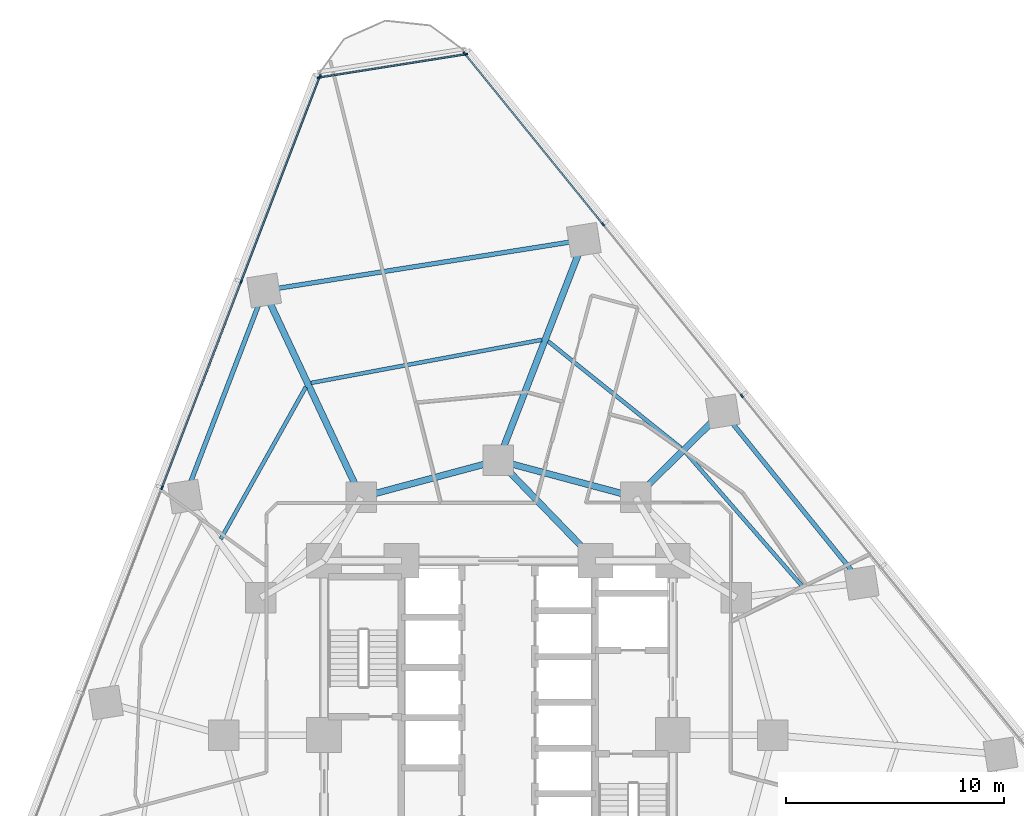
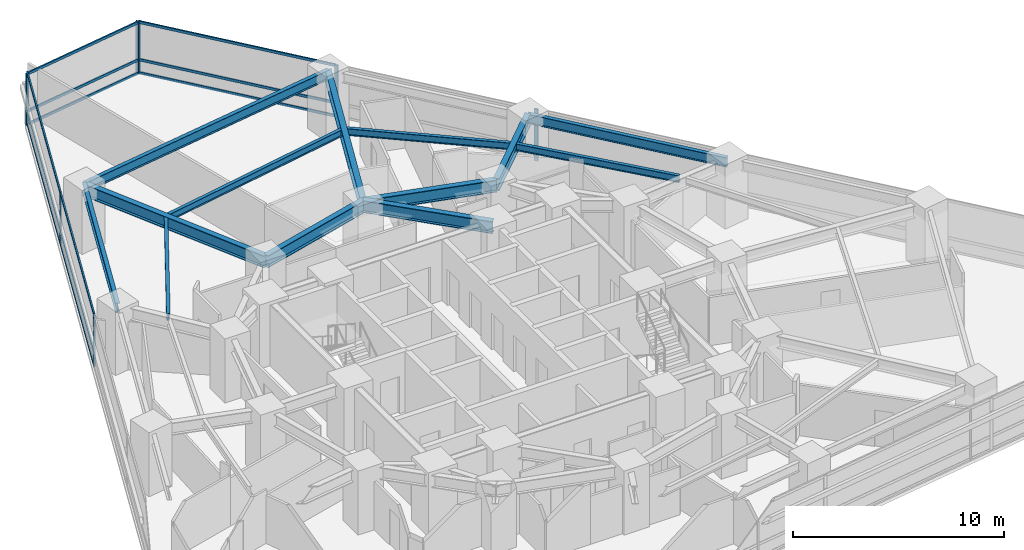
# One storey, part 5 of 14: 20 members, 13 beams, 3 elements without a shape of their own.
"""IFC4 building model written with IfcOpenShell, lengths in metres."""

import ifcopenshell
import ifcopenshell.guid

model = None  # the IFC model being written
_history = None  # IfcOwnerHistory: only IFC2X3 demands one
_inside = {}  # id of a spatial element -> (the spatial element, [elements in it])
_under = {}  # id of a project, library or spatial element -> (it, [spatial elements below it])
_declared = {}  # id of a project -> (the project, [libraries it declares])
_typed = {}  # id of a type object -> (the type object, [elements of that type])
_made_of = {}  # id of a material, layer set ... -> (it, [elements and type objects made of it])


def new_model(schema):
    """Start an empty IFC model of exactly this schema.

    Asked for "IFC4X3", IfcOpenShell would pick the latest addendum, in which some entities
    have other attributes; the version numbers below select the first issue.
    IFC2X3 requires an IfcOwnerHistory on every rooted entity: one is made here for all.
    """
    global model, _history
    if schema == "IFC4X3":
        model = ifcopenshell.file(schema_version=(4, 3, 0, 0))
    else:
        model = ifcopenshell.file(schema=schema)
    _inside.clear()
    _under.clear()
    _declared.clear()
    _typed.clear()
    _made_of.clear()
    _history = None
    if model.schema == "IFC2X3":
        org = make("IfcOrganization", Name="unknown")
        user = make(
            "IfcPersonAndOrganization",
            ThePerson=make("IfcPerson", FamilyName="unknown"),
            TheOrganization=org,
        )
        app = make(
            "IfcApplication",
            ApplicationDeveloper=org,
            Version="unknown",
            ApplicationFullName="unknown",
            ApplicationIdentifier="unknown",
        )
        _history = make(
            "IfcOwnerHistory",
            OwningUser=user,
            OwningApplication=app,
            ChangeAction="ADDED",
            CreationDate=0,
        )
    return model


def make(cls, **values):
    """One entity of the class cls with the attributes given. An attribute that is None is left unset."""
    return model.create_entity(
        cls, **{name: value for name, value in values.items() if value is not None}
    )


def rooted(cls, **values):
    """An entity with a GlobalId (a new one), such as an element, a storey or a relation."""
    return make(cls, GlobalId=ifcopenshell.guid.new(), OwnerHistory=_history, **values)


def si_unit(unit_type, name, prefix=None):
    """IfcSIUnit, for example si_unit("LENGTHUNIT", "METRE", prefix="MILLI")."""
    return make("IfcSIUnit", UnitType=unit_type, Prefix=prefix, Name=name)


def assignment(units):
    """IfcUnitAssignment: the units of a project."""
    return None if units is None else make("IfcUnitAssignment", Units=units)


def point(xyz):
    """IfcCartesianPoint."""
    return None if xyz is None else make("IfcCartesianPoint", Coordinates=xyz)


def direction(xyz):
    """IfcDirection."""
    return None if xyz is None else make("IfcDirection", DirectionRatios=xyz)


def frame(location, z_axis=None, x_axis=None):
    """IfcAxis2Placement3D, a coordinate frame: its origin and axes. An axis left out is left unset."""
    return make(
        "IfcAxis2Placement3D",
        Location=point(location),
        Axis=direction(z_axis),
        RefDirection=direction(x_axis),
    )


def frame_2d(location, x_axis=None):
    """IfcAxis2Placement2D, a coordinate frame in the plane: its origin and x axis."""
    return make(
        "IfcAxis2Placement2D", Location=point(location), RefDirection=direction(x_axis)
    )


def origin():
    """The frame at (0, 0, 0) with its axes left unset."""
    return frame((0.0, 0.0, 0.0))


def origin_2d():
    """The frame at (0, 0) in the plane with its x axis left unset."""
    return frame_2d((0.0, 0.0))


def place(relative_to, where):
    """IfcLocalPlacement: puts the frame where relative to a parent placement (None: the world)."""
    return make(
        "IfcLocalPlacement", PlacementRelTo=relative_to, RelativePlacement=where
    )


def context(
    kind, dimensions, precision=None, world=None, true_north=None, identifier=None
):
    """IfcGeometricRepresentationContext, for example the 3D "Model" context."""
    return make(
        "IfcGeometricRepresentationContext",
        ContextIdentifier=identifier,
        ContextType=kind,
        CoordinateSpaceDimension=dimensions,
        Precision=precision,
        WorldCoordinateSystem=world,
        TrueNorth=true_north,
    )


def subcontext(parent, identifier, kind, view, scale=None):
    """IfcGeometricRepresentationSubContext, for example "Body" below "Model"."""
    return make(
        "IfcGeometricRepresentationSubContext",
        ContextIdentifier=identifier,
        ContextType=kind,
        ParentContext=parent,
        TargetScale=scale,
        TargetView=view,
    )


def project(units=None, contexts=None):
    """IfcProject with its units and contexts."""
    return rooted(
        "IfcProject",
        Name="project",
        RepresentationContexts=contexts,
        UnitsInContext=assignment(units),
    )


def spatial(cls, under=None, at=None, **own):
    """A site, building, storey or space (cls), placed at a placement, below another one or the project."""
    s = rooted(cls, ObjectPlacement=at, **own)
    if under is not None:
        _under.setdefault(under.id(), (under, []))[1].append(s)
    return s


def profile(cls, at=None, kind="AREA", **sizes):
    """A parametric profile (cls). Its sizes go by their IFC names, for example OverallWidth=200.0."""
    return make(cls, ProfileType=kind, Position=at, **sizes)


def rectangle(**sizes):
    """IfcRectangleProfileDef."""
    return profile("IfcRectangleProfileDef", **sizes)


def i_section(**sizes):
    """IfcIShapeProfileDef."""
    return profile("IfcIShapeProfileDef", **sizes)


def extrude(swept, where, along, depth):
    """IfcExtrudedAreaSolid: the profile swept, set in the frame where, extruded along a direction by depth."""
    return make(
        "IfcExtrudedAreaSolid",
        SweptArea=swept,
        Position=where,
        ExtrudedDirection=direction(along),
        Depth=depth,
    )


def shape(context_of_items, identifier, shape_type, items):
    """IfcShapeRepresentation: the items that make up one representation, for example the "Body"."""
    return make(
        "IfcShapeRepresentation",
        ContextOfItems=context_of_items,
        RepresentationIdentifier=identifier,
        RepresentationType=shape_type,
        Items=items,
    )


def material(Name=None, Category=None):
    """IfcMaterial."""
    return make("IfcMaterial", Name=Name, Category=Category)


def layer(
    of_material, thickness, ventilated=None, Name=None, Category=None, Priority=None
):
    """IfcMaterialLayer: one layer of a wall or slab, of a material (None: an air gap)."""
    return make(
        "IfcMaterialLayer",
        Material=of_material,
        LayerThickness=thickness,
        IsVentilated=ventilated,
        Name=Name,
        Category=Category,
        Priority=Priority,
    )


def layer_set(layers, Name=None):
    """IfcMaterialLayerSet."""
    return make("IfcMaterialLayerSet", MaterialLayers=layers, LayerSetName=Name)


def material_profile(
    of_material, cross_section, Name=None, Category=None, Priority=None
):
    """IfcMaterialProfile: a cross section and its material."""
    return make(
        "IfcMaterialProfile",
        Name=Name,
        Material=of_material,
        Profile=cross_section,
        Priority=Priority,
        Category=Category,
    )


def profile_set(profiles, Name=None, composite=None):
    """IfcMaterialProfileSet."""
    return make(
        "IfcMaterialProfileSet",
        Name=Name,
        MaterialProfiles=profiles,
        CompositeProfile=composite,
    )


def made_of(thing, what):
    """Note that an element or type object is made of a material, layer set ...; save() writes the relation."""
    if what is not None:
        _made_of.setdefault(what.id(), (what, []))[1].append(thing)
    return thing


def type_object(cls, material=None, **own):
    """A type object (cls), such as IfcWallType, which elements share."""
    return made_of(rooted(cls, **own), material)


def element(
    cls,
    number,
    at=None,
    inside=None,
    cuts=None,
    type_object=None,
    material=None,
    context=None,
    identifier="Body",
    shape_type=None,
    held_by="IfcProductDefinitionShape",
    body=None,
    shapes=None,
    **own,
):
    """One element of the class cls, such as IfcWall. Its Tag is "e" and its number.

    at: its placement. inside: the storey or other place that contains it. cuts: it is an
    opening in that element (IfcRelVoidsElement). A single representation is given by context,
    identifier, shape_type and body (its items); several are given by shapes. held_by: the class
    of the entity that holds the representations. save() writes the other relations.
    """
    e = rooted(cls, Tag="e%d" % number, ObjectPlacement=at, **own)
    if body is not None:
        shapes = [shape(context, identifier, shape_type, body)]
    if shapes is not None:
        e.Representation = make(held_by, Representations=shapes)
    if inside is not None:
        _inside.setdefault(inside.id(), (inside, []))[1].append(e)
    if cuts is not None:
        rooted(
            "IfcRelVoidsElement", RelatingBuildingElement=cuts, RelatedOpeningElement=e
        )
    if type_object is not None:
        _typed.setdefault(type_object.id(), (type_object, []))[1].append(e)
    return made_of(e, material)


def aggregate(whole, parts):
    """IfcRelAggregates: a whole, such as a stair, and the parts it consists of."""
    return rooted("IfcRelAggregates", RelatingObject=whole, RelatedObjects=parts)


def save(model, path):
    """Write the relations noted so far, then the file.

    IfcRelAggregates (storeys below a building ...), IfcRelContainedInSpatialStructure (elements
    in a storey), IfcRelDefinesByType, IfcRelAssociatesMaterial and IfcRelDeclares: one each for
    every whole, place, type object, material and project.
    """
    for whole, parts in _under.values():
        aggregate(whole, parts)
    for where, things in _inside.values():
        rooted(
            "IfcRelContainedInSpatialStructure",
            RelatedElements=things,
            RelatingStructure=where,
        )
    for kind, things in _typed.values():
        rooted("IfcRelDefinesByType", RelatedObjects=things, RelatingType=kind)
    for what, things in _made_of.values():
        rooted("IfcRelAssociatesMaterial", RelatedObjects=things, RelatingMaterial=what)
    for by, libraries in _declared.values():
        rooted("IfcRelDeclares", RelatingContext=by, RelatedDefinitions=libraries)
    model.write(path)


model = new_model("IFC4")

# Units and contexts
model_context = context("Model", 3, precision=1e-05, world=origin(), true_north=direction((0.0, 1.0)))
body_context = subcontext(model_context, "Body", "Model", "MODEL_VIEW")
ifc_project = project(units=[si_unit("LENGTHUNIT", "METRE"), si_unit("AREAUNIT", "SQUARE_METRE"), si_unit("VOLUMEUNIT", "CUBIC_METRE"), si_unit("PLANEANGLEUNIT", "RADIAN"), si_unit("MASSUNIT", "GRAM", prefix="KILO")], contexts=[model_context])

# Site, building, storey
site_placement = place(None, origin())
site = spatial("IfcSite", under=ifc_project, at=site_placement, CompositionType="ELEMENT")
building_placement = place(site_placement, origin())
building = spatial("IfcBuilding", under=site, at=building_placement, Name="Terralouvre Media Tower", CompositionType="ELEMENT")
storey_placement = place(building_placement, frame((0.0, 0.0, 70.39990234375)))
storey = spatial("IfcBuildingStorey", under=building, at=storey_placement, Name="L17", CompositionType="ELEMENT", Elevation=70.39990234375)

# Beams
ifc_material_1 = material(Name="Structural steel S355J2", Category="steel")
ifc_material_profile_1 = material_profile(ifc_material_1, i_section(OverallWidth=0.179931640625, OverallDepth=0.39990234375, WebThickness=0.008544921875, FlangeThickness=0.013427734375, at=origin_2d()), Name="IPE 400")
ifc_profile_set_1 = profile_set([ifc_material_profile_1], Name="Structural steel S355J2")
beam_type_1 = type_object("IfcBeamType", Name="Composite Floor Joist J-IPE400 (IPE 400)", PredefinedType="JOIST", material=ifc_profile_set_1)
beam_1_placement = place(storey_placement, frame((13.96044921875, 6.810791015625, 3.300048828125), z_axis=(-0.656991876482, 0.753897655014, 0.0), x_axis=(-0.753897655014, -0.656991876482, 0.0)))
element("IfcBeam", 1, at=beam_1_placement, inside=storey, type_object=beam_type_1, Name="L17 Framing Beam JT-L17-07", PredefinedType="JOIST", context=body_context, shape_type="SweptSolid", body=[
    extrude(i_section(OverallWidth=0.179931640625, OverallDepth=0.39990234375, WebThickness=0.008544921875, FlangeThickness=0.013427734375, at=origin_2d()), origin(), (0.0, 0.0, 1.0), 8.165283203125),
])
beam_2_placement = place(storey_placement, frame((8.380615234375, 13.173583984375, 3.300048828125), z_axis=(-0.779905972593, 0.62589669588, 0.0), x_axis=(-0.62589669588, -0.779905972593, 0.0)))
element("IfcBeam", 2, at=beam_2_placement, inside=storey, type_object=beam_type_1, Name="L17 Framing Beam JT-L17-08", PredefinedType="JOIST", context=body_context, shape_type="SweptSolid", body=[
    extrude(i_section(OverallWidth=0.179931640625, OverallDepth=0.39990234375, WebThickness=0.008544921875, FlangeThickness=0.013427734375, at=origin_2d()), origin(), (0.0, 0.0, 1.0), 7.82470703125),
])
beam_3_placement = place(storey_placement, frame((1.985595703125, 18.13623046875, 3.300048828125), z_axis=(-0.982984181952, -0.183690223017, 0.0), x_axis=(0.183690223017, -0.982984181952, 0.0)))
element("IfcBeam", 3, at=beam_3_placement, inside=storey, type_object=beam_type_1, Name="L17 Framing Beam JT-L17-09", PredefinedType="JOIST", context=body_context, shape_type="SweptSolid", body=[
    extrude(i_section(OverallWidth=0.179931640625, OverallDepth=0.39990234375, WebThickness=0.008544921875, FlangeThickness=0.013427734375, at=origin_2d()), origin(), (0.0, 0.0, 1.0), 10.766845703125),
])
beam_4_placement = place(storey_placement, frame((-8.837646484375, 15.97119140625, 3.300048828125), z_axis=(-0.488342920388, -0.87265181608, 0.0), x_axis=(0.87265181608, -0.488342920388, 0.0)))
element("IfcBeam", 4, at=beam_4_placement, inside=storey, type_object=beam_type_1, Name="L17 Framing Beam JT-L17-10", PredefinedType="JOIST", context=body_context, shape_type="SweptSolid", body=[
    extrude(i_section(OverallWidth=0.179931640625, OverallDepth=0.39990234375, WebThickness=0.008544921875, FlangeThickness=0.013427734375, at=origin_2d()), origin(), (0.0, 0.0, 1.0), 7.992919921875),
])

# Curtain wall, members
ifc_material_2 = material(Name="Low-iron laminated double glazing with solar-control coating", Category="glass")
ifc_layer_1 = layer(ifc_material_2, 0.1650390625, Name="Lower Media Tower Unitised Curtain Wall CW-02")
ifc_layer_set_1 = layer_set([ifc_layer_1], Name="Low-iron laminated double glazing with solar-control coating")
curtain_wall_type_1 = type_object("IfcCurtainWallType", Name="Lower Media Tower Unitised Curtain Wall CW-02", PredefinedType="NOTDEFINED", material=ifc_layer_set_1)
curtain_wall_1_placement = place(storey_placement, origin())
curtain_wall_1 = element("IfcCurtainWall", 5, at=curtain_wall_1_placement, inside=storey, type_object=curtain_wall_type_1, Name="L17 Facade Curtain Wall F1", PredefinedType="NOTDEFINED")
ifc_material_3 = material(Name="Anodised extruded aluminium 6063-T6", Category="aluminium")
ifc_material_profile_2 = material_profile(ifc_material_3, rectangle(XDim=0.074951171875, YDim=0.14990234375, at=origin_2d()), Name="ALU 75x150")
ifc_profile_set_2 = profile_set([ifc_material_profile_2], Name="Anodised extruded aluminium 6063-T6")
member_type_1 = type_object("IfcMemberType", Name="Curtain-Wall Horizontal Transom TR-150", PredefinedType="USERDEFINED", material=ifc_profile_set_2)
member_1_placement = place(storey_placement, frame((4.7763671875, 23.46435546875, 0.03759765625), z_axis=(-0.629312521445, 0.777152334071, 0.0), x_axis=(-0.777152334071, -0.629312521445, 0.0)))
member_1 = element("IfcMember", 6, at=member_1_placement, type_object=member_type_1, Name="CW-02 transom 5.1", ObjectType="TRANSOM", PredefinedType="USERDEFINED", context=body_context, shape_type="SweptSolid", body=[
    extrude(rectangle(XDim=0.074951171875, YDim=0.14990234375, at=origin_2d()), origin(), (0.0, 0.0, 1.0), 10.015625),
])
member_2_placement = place(storey_placement, frame((4.7763671875, 23.46435546875, 0.800048828125), z_axis=(-0.629312521445, 0.777152334071, 0.0), x_axis=(-0.777152334071, -0.629312521445, 0.0)))
member_2 = element("IfcMember", 7, at=member_2_placement, type_object=member_type_1, Name="CW-02 transom 5.2", ObjectType="TRANSOM", PredefinedType="USERDEFINED", context=body_context, shape_type="SweptSolid", body=[
    extrude(rectangle(XDim=0.074951171875, YDim=0.14990234375, at=origin_2d()), origin(), (0.0, 0.0, 1.0), 10.015625),
])
member_3_placement = place(storey_placement, frame((4.7763671875, 23.46435546875, 2.962646484375), z_axis=(-0.629312521445, 0.777152334071, 0.0), x_axis=(-0.777152334071, -0.629312521445, 0.0)))
member_3 = element("IfcMember", 8, at=member_3_placement, type_object=member_type_1, Name="CW-02 transom 5.3", ObjectType="TRANSOM", PredefinedType="USERDEFINED", context=body_context, shape_type="SweptSolid", body=[
    extrude(rectangle(XDim=0.074951171875, YDim=0.14990234375, at=origin_2d()), origin(), (0.0, 0.0, 1.0), 10.015625),
])

curtain_wall_2_placement = place(storey_placement, origin())
curtain_wall_2 = element("IfcCurtainWall", 9, at=curtain_wall_2_placement, inside=storey, type_object=curtain_wall_type_1, Name="L17 Facade Curtain Wall F2", PredefinedType="NOTDEFINED")
member_4_placement = place(storey_placement, frame((-8.2041015625, 30.1904296875, 0.03759765625), z_axis=(-0.358376263354, -0.933577235083, 0.0), x_axis=(0.933577235083, -0.358376263354, 0.0)))
member_4 = element("IfcMember", 10, at=member_4_placement, type_object=member_type_1, Name="CW-02 transom 1.1", ObjectType="TRANSOM", PredefinedType="USERDEFINED", context=body_context, shape_type="SweptSolid", body=[
    extrude(rectangle(XDim=0.074951171875, YDim=0.14990234375, at=origin_2d()), origin(), (0.0, 0.0, 1.0), 10.015625),
])
member_5_placement = place(storey_placement, frame((-8.2041015625, 30.1904296875, 0.800048828125), z_axis=(-0.358376263354, -0.933577235083, 0.0), x_axis=(0.933577235083, -0.358376263354, 0.0)))
member_5 = element("IfcMember", 11, at=member_5_placement, type_object=member_type_1, Name="CW-02 transom 1.2", ObjectType="TRANSOM", PredefinedType="USERDEFINED", context=body_context, shape_type="SweptSolid", body=[
    extrude(rectangle(XDim=0.074951171875, YDim=0.14990234375, at=origin_2d()), origin(), (0.0, 0.0, 1.0), 10.015625),
])
member_6_placement = place(storey_placement, frame((-8.2041015625, 30.1904296875, 2.962646484375), z_axis=(-0.358376263354, -0.933577235083, 0.0), x_axis=(0.933577235083, -0.358376263354, 0.0)))
member_6 = element("IfcMember", 12, at=member_6_placement, type_object=member_type_1, Name="CW-02 transom 1.3", ObjectType="TRANSOM", PredefinedType="USERDEFINED", context=body_context, shape_type="SweptSolid", body=[
    extrude(rectangle(XDim=0.074951171875, YDim=0.14990234375, at=origin_2d()), origin(), (0.0, 0.0, 1.0), 10.015625),
])
member_7_placement = place(storey_placement, frame((-11.8203125, 20.77001953125, 0.03759765625), z_axis=(-0.358357340084, -0.933584499019, 0.0), x_axis=(0.933584499019, -0.358357340084, 0.0)))
member_7 = element("IfcMember", 13, at=member_7_placement, type_object=member_type_1, Name="CW-02 transom 2.1", ObjectType="TRANSOM", PredefinedType="USERDEFINED", context=body_context, shape_type="SweptSolid", body=[
    extrude(rectangle(XDim=0.074951171875, YDim=0.14990234375, at=origin_2d()), origin(), (0.0, 0.0, 1.0), 10.052978515625),
])
member_8_placement = place(storey_placement, frame((-11.8203125, 20.77001953125, 0.800048828125), z_axis=(-0.358357340084, -0.933584499019, 0.0), x_axis=(0.933584499019, -0.358357340084, 0.0)))
member_8 = element("IfcMember", 14, at=member_8_placement, type_object=member_type_1, Name="CW-02 transom 2.2", ObjectType="TRANSOM", PredefinedType="USERDEFINED", context=body_context, shape_type="SweptSolid", body=[
    extrude(rectangle(XDim=0.074951171875, YDim=0.14990234375, at=origin_2d()), origin(), (0.0, 0.0, 1.0), 10.052978515625),
])
member_9_placement = place(storey_placement, frame((-11.8203125, 20.77001953125, 2.962646484375), z_axis=(-0.358357340084, -0.933584499019, 0.0), x_axis=(0.933584499019, -0.358357340084, 0.0)))
member_9 = element("IfcMember", 15, at=member_9_placement, type_object=member_type_1, Name="CW-02 transom 2.3", ObjectType="TRANSOM", PredefinedType="USERDEFINED", context=body_context, shape_type="SweptSolid", body=[
    extrude(rectangle(XDim=0.074951171875, YDim=0.14990234375, at=origin_2d()), origin(), (0.0, 0.0, 1.0), 10.052978515625),
])

ifc_material_4 = material(Name="Low-iron laminated double glazing with solar-control coating", Category="glass")
ifc_layer_2 = layer(ifc_material_4, 0.1650390625, Name="Rounded Wind-Corner Curved Glazing CW-04")
ifc_layer_set_2 = layer_set([ifc_layer_2], Name="Low-iron laminated double glazing with solar-control coating")
curtain_wall_type_2 = type_object("IfcCurtainWallType", Name="Rounded Wind-Corner Curved Glazing CW-04", PredefinedType="NOTDEFINED", material=ifc_layer_set_2)
curtain_wall_3_placement = place(storey_placement, origin())
curtain_wall_3 = element("IfcCurtainWall", 16, at=curtain_wall_3_placement, inside=storey, type_object=curtain_wall_type_2, Name="L17 Rounded Wind-Corner Curtain Wall C2", PredefinedType="NOTDEFINED")
member_10_placement = place(storey_placement, frame((-1.53271484375, 31.231689453125, 0.03759765625), z_axis=(-0.987688588398, -0.156432900464, 0.0), x_axis=(0.156432900464, -0.987688588398, 0.0)))
member_10 = element("IfcMember", 17, at=member_10_placement, type_object=member_type_1, Name="CW-04 transom 1.1", ObjectType="TRANSOM", PredefinedType="USERDEFINED", context=body_context, shape_type="SweptSolid", body=[
    extrude(rectangle(XDim=0.074951171875, YDim=0.14990234375, at=origin_2d()), origin(), (0.0, 0.0, 1.0), 6.74365234375),
])
member_11_placement = place(storey_placement, frame((-1.53271484375, 31.231689453125, 0.800048828125), z_axis=(-0.987688588398, -0.156432900464, 0.0), x_axis=(0.156432900464, -0.987688588398, 0.0)))
member_11 = element("IfcMember", 18, at=member_11_placement, type_object=member_type_1, Name="CW-04 transom 1.2", ObjectType="TRANSOM", PredefinedType="USERDEFINED", context=body_context, shape_type="SweptSolid", body=[
    extrude(rectangle(XDim=0.074951171875, YDim=0.14990234375, at=origin_2d()), origin(), (0.0, 0.0, 1.0), 6.74365234375),
])
member_12_placement = place(storey_placement, frame((-1.53271484375, 31.231689453125, 2.962646484375), z_axis=(-0.987688588398, -0.156432900464, 0.0), x_axis=(0.156432900464, -0.987688588398, 0.0)))
member_12 = element("IfcMember", 19, at=member_12_placement, type_object=member_type_1, Name="CW-04 transom 1.3", ObjectType="TRANSOM", PredefinedType="USERDEFINED", context=body_context, shape_type="SweptSolid", body=[
    extrude(rectangle(XDim=0.074951171875, YDim=0.14990234375, at=origin_2d()), origin(), (0.0, 0.0, 1.0), 6.74365234375),
])

# Member
ifc_material_5 = material(Name="Anodised extruded aluminium 6063-T6", Category="aluminium")
ifc_material_profile_3 = material_profile(ifc_material_5, rectangle(XDim=0.074951171875, YDim=0.179931640625, at=origin_2d()), Name="ALU 75x180")
ifc_profile_set_3 = profile_set([ifc_material_profile_3], Name="Anodised extruded aluminium 6063-T6")
member_type_2 = type_object("IfcMemberType", Name="Curtain-Wall Vertical Mullion ML-180", PredefinedType="MULLION", material=ifc_profile_set_3)
member_13_placement = place(storey_placement, frame((11.173583984375, 15.564453125, 0.0), z_axis=(0.0, 0.0, 1.0), x_axis=(-0.777145994276, -0.629320350521, 0.0)))
member_13 = element("IfcMember", 20, at=member_13_placement, type_object=member_type_2, Name="CW-02 mullion 4", PredefinedType="MULLION", context=body_context, shape_type="SweptSolid", body=[
    extrude(rectangle(XDim=0.074951171875, YDim=0.179931640625, at=origin_2d()), origin(), (0.0, 0.0, 1.0), 3.0),
])

member_14_placement = place(storey_placement, frame((4.7998046875, 23.435302734375, 0.0), z_axis=(0.0, 0.0, 1.0), x_axis=(-0.777145994276, -0.629320350521, 0.0)))
member_14 = element("IfcMember", 21, at=member_14_placement, type_object=member_type_2, Name="CW-02 mullion 5", PredefinedType="MULLION", context=body_context, shape_type="SweptSolid", body=[
    extrude(rectangle(XDim=0.074951171875, YDim=0.179931640625, at=origin_2d()), origin(), (0.0, 0.0, 1.0), 3.0),
])

member_15_placement = place(storey_placement, frame((-1.55029296875, 31.277099609375, 0.0), z_axis=(0.0, 0.0, 1.0), x_axis=(-0.777145994276, -0.629320350521, 0.0)))
member_15 = element("IfcMember", 22, at=member_15_placement, type_object=member_type_2, Name="CW-02 mullion 6", PredefinedType="MULLION", context=body_context, shape_type="SweptSolid", body=[
    extrude(rectangle(XDim=0.074951171875, YDim=0.179931640625, at=origin_2d()), origin(), (0.0, 0.0, 1.0), 3.0),
])

aggregate(curtain_wall_1, [member_13, member_14, member_15, member_1, member_2, member_3])

member_16_placement = place(storey_placement, frame((-8.190673828125, 30.225341796875, 0.0), z_axis=(0.0, 0.0, 1.0), x_axis=(0.933580438988, -0.358367917006, 0.0)))
member_16 = element("IfcMember", 23, at=member_16_placement, type_object=member_type_2, Name="CW-02 mullion 1", PredefinedType="MULLION", context=body_context, shape_type="SweptSolid", body=[
    extrude(rectangle(XDim=0.074951171875, YDim=0.179931640625, at=origin_2d()), origin(), (0.0, 0.0, 1.0), 3.0),
])

member_17_placement = place(storey_placement, frame((-11.806884765625, 20.80517578125, 0.0), z_axis=(0.0, 0.0, 1.0), x_axis=(0.933580438988, -0.358367917006, 0.0)))
member_17 = element("IfcMember", 24, at=member_17_placement, type_object=member_type_2, Name="CW-02 mullion 2", PredefinedType="MULLION", context=body_context, shape_type="SweptSolid", body=[
    extrude(rectangle(XDim=0.074951171875, YDim=0.179931640625, at=origin_2d()), origin(), (0.0, 0.0, 1.0), 3.0),
])

member_18_placement = place(storey_placement, frame((-15.436279296875, 11.349853515625, 0.0), z_axis=(0.0, 0.0, 1.0), x_axis=(0.933580438988, -0.358367917006, 0.0)))
member_18 = element("IfcMember", 25, at=member_18_placement, type_object=member_type_2, Name="CW-02 mullion 3", PredefinedType="MULLION", context=body_context, shape_type="SweptSolid", body=[
    extrude(rectangle(XDim=0.074951171875, YDim=0.179931640625, at=origin_2d()), origin(), (0.0, 0.0, 1.0), 3.0),
])

aggregate(curtain_wall_2, [member_16, member_17, member_18, member_4, member_5, member_6, member_7, member_8, member_9])

member_19_placement = place(storey_placement, frame((-1.495849609375, 31.237548828125, 0.0), z_axis=(0.0, 0.0, 1.0), x_axis=(0.156434386502, -0.987688353034, 0.0)))
member_19 = element("IfcMember", 26, at=member_19_placement, type_object=member_type_2, Name="CW-04 mullion 1", PredefinedType="MULLION", context=body_context, shape_type="SweptSolid", body=[
    extrude(rectangle(XDim=0.074951171875, YDim=0.179931640625, at=origin_2d()), origin(), (0.0, 0.0, 1.0), 3.0),
])

member_20_placement = place(storey_placement, frame((-8.23046875, 30.1708984375, 0.0), z_axis=(0.0, 0.0, 1.0), x_axis=(0.156434386502, -0.987688353034, 0.0)))
member_20 = element("IfcMember", 27, at=member_20_placement, type_object=member_type_2, Name="CW-04 mullion 2", PredefinedType="MULLION", context=body_context, shape_type="SweptSolid", body=[
    extrude(rectangle(XDim=0.074951171875, YDim=0.179931640625, at=origin_2d()), origin(), (0.0, 0.0, 1.0), 3.0),
])

aggregate(curtain_wall_3, [member_19, member_20, member_10, member_11, member_12])

# Beams
ifc_material_6 = material(Name="Structural steel S355J2", Category="steel")
ifc_material_profile_4 = material_profile(ifc_material_6, i_section(OverallWidth=0.2099609375, OverallDepth=0.550048828125, WebThickness=0.010986328125, FlangeThickness=0.01708984375, at=origin_2d()), Name="IPE 550")
ifc_profile_set_4 = profile_set([ifc_material_profile_4], Name="Structural steel S355J2")
beam_type_2 = type_object("IfcBeamType", Name="Perimeter Spandrel Beam SPB-550 (IPE 550)", PredefinedType="SPANDREL", material=ifc_profile_set_4)
beam_5_placement = place(storey_placement, frame((16.669189453125, 6.982421875, 3.22509765625), z_axis=(-0.629325814949, 0.777141569239, 0.0), x_axis=(-0.777141569239, -0.629325814949, 0.0)))
element("IfcBeam", 28, at=beam_5_placement, inside=storey, type_object=beam_type_2, Name="L17 Framing Beam BM-L17-PR07", PredefinedType="SPANDREL", context=body_context, shape_type="SweptSolid", body=[
    extrude(i_section(OverallWidth=0.2099609375, OverallDepth=0.550048828125, WebThickness=0.010986328125, FlangeThickness=0.01708984375, at=origin_2d()), origin(), (0.0, 0.0, 1.0), 10.1279296875),
])
beam_6_placement = place(storey_placement, frame((3.921630859375, 22.72412109375, 3.22509765625), z_axis=(-0.98768930547, -0.156428372939, 0.0), x_axis=(0.156428372939, -0.98768930547, 0.0)))
element("IfcBeam", 29, at=beam_6_placement, inside=storey, type_object=beam_type_2, Name="L17 Framing Beam BM-L17-PR09", PredefinedType="SPANDREL", context=body_context, shape_type="SweptSolid", body=[
    extrude(i_section(OverallWidth=0.2099609375, OverallDepth=0.550048828125, WebThickness=0.010986328125, FlangeThickness=0.01708984375, at=origin_2d()), origin(), (0.0, 0.0, 1.0), 14.8564453125),
])
beam_7_placement = place(storey_placement, frame((-10.751953125, 20.400146484375, 3.22509765625), z_axis=(-0.358353868481, -0.933585831589, 0.0), x_axis=(0.933585831589, -0.358353868481, 0.0)))
element("IfcBeam", 30, at=beam_7_placement, inside=storey, type_object=beam_type_2, Name="L17 Framing Beam BM-L17-PR10", PredefinedType="SPANDREL", context=body_context, shape_type="SweptSolid", body=[
    extrude(i_section(OverallWidth=0.2099609375, OverallDepth=0.550048828125, WebThickness=0.010986328125, FlangeThickness=0.01708984375, at=origin_2d()), origin(), (0.0, 0.0, 1.0), 10.1279296875),
])
ifc_material_7 = material(Name="Structural steel S460M", Category="steel")
ifc_material_profile_5 = material_profile(ifc_material_7, i_section(OverallWidth=0.300048828125, OverallDepth=0.699951171875, WebThickness=0.01708984375, FlangeThickness=0.031982421875, at=origin_2d()), Name="HEB 700")
ifc_profile_set_5 = profile_set([ifc_material_profile_5], Name="Structural steel S460M")
beam_type_3 = type_object("IfcBeamType", Name="Primary Floor Girder B-HEB700 (HEB 700)", PredefinedType="BEAM", material=ifc_profile_set_5)
for number, where, z_axis, x_axis, name in (
    (31, (6.300048828125, 10.911865234375, 3.150146484375), (-0.965920481897, 0.258838989821, 0.0), (-0.258838989821, -0.965920481897, 0.0), "L17 Framing Beam BM-L17-MR08"),
    (32, (0.0, 12.60009765625, 3.150146484375), (-0.965920481897, -0.258838989821, 0.0), (0.258838989821, -0.965920481897, 0.0), "L17 Framing Beam BM-L17-MR09"),
):
    element("IfcBeam", number, at=place(storey_placement, frame(where, z_axis=z_axis, x_axis=x_axis)), inside=storey, type_object=beam_type_3, Name=name, PredefinedType="BEAM", context=body_context, shape_type="SweptSolid", body=[
        extrude(i_section(OverallWidth=0.300048828125, OverallDepth=0.699951171875, WebThickness=0.01708984375, FlangeThickness=0.031982421875, at=origin_2d()), origin(), (0.0, 0.0, 1.0), 6.522216796875),
    ])
beam_8_placement = place(storey_placement, frame((4.449951171875, 8.0, 3.150146484375), z_axis=(-0.695279715726, 0.718739255155, 0.0), x_axis=(-0.718739255155, -0.695279715726, 0.0)))
element("IfcBeam", 33, at=beam_8_placement, inside=storey, type_object=beam_type_3, Name="L17 Framing Beam BM-L17-CM09", PredefinedType="BEAM", context=body_context, shape_type="SweptSolid", body=[
    extrude(i_section(OverallWidth=0.300048828125, OverallDepth=0.699951171875, WebThickness=0.01708984375, FlangeThickness=0.031982421875, at=origin_2d()), origin(), (0.0, 0.0, 1.0), 6.400146484375),
])
beam_9_placement = place(storey_placement, frame((6.300048828125, 10.911865234375, 3.150146484375), z_axis=(0.711897326367, 0.702283558623, 0.0), x_axis=(-0.702283558623, 0.711897326367, 0.0)))
element("IfcBeam", 34, at=beam_9_placement, inside=storey, type_object=beam_type_3, Name="L17 Framing Beam BM-L17-RD08", PredefinedType="BEAM", context=body_context, shape_type="SweptSolid", body=[
    extrude(i_section(OverallWidth=0.300048828125, OverallDepth=0.699951171875, WebThickness=0.01708984375, FlangeThickness=0.031982421875, at=origin_2d()), origin(), (0.0, 0.0, 1.0), 5.6123046875),
])
beam_10_placement = place(storey_placement, frame((0.0, 12.60009765625, 3.150146484375), z_axis=(0.361206690819, 0.93248577818, 0.0), x_axis=(-0.93248577818, 0.361206690819, 0.0)))
element("IfcBeam", 35, at=beam_10_placement, inside=storey, type_object=beam_type_3, Name="L17 Framing Beam BM-L17-RD09", PredefinedType="BEAM", context=body_context, shape_type="SweptSolid", body=[
    extrude(i_section(OverallWidth=0.300048828125, OverallDepth=0.699951171875, WebThickness=0.01708984375, FlangeThickness=0.031982421875, at=origin_2d()), origin(), (0.0, 0.0, 1.0), 10.85693359375),
])
beam_11_placement = place(storey_placement, frame((-6.300048828125, 10.911865234375, 3.150146484375), z_axis=(-0.42476805902, 0.905302212544, 0.0), x_axis=(-0.905302212544, -0.42476805902, 0.0)))
element("IfcBeam", 36, at=beam_11_placement, inside=storey, type_object=beam_type_3, Name="L17 Framing Beam BM-L17-RD10", PredefinedType="BEAM", context=body_context, shape_type="SweptSolid", body=[
    extrude(i_section(OverallWidth=0.300048828125, OverallDepth=0.699951171875, WebThickness=0.01708984375, FlangeThickness=0.031982421875, at=origin_2d()), origin(), (0.0, 0.0, 1.0), 10.480712890625),
])

save(model, "model.ifc")
